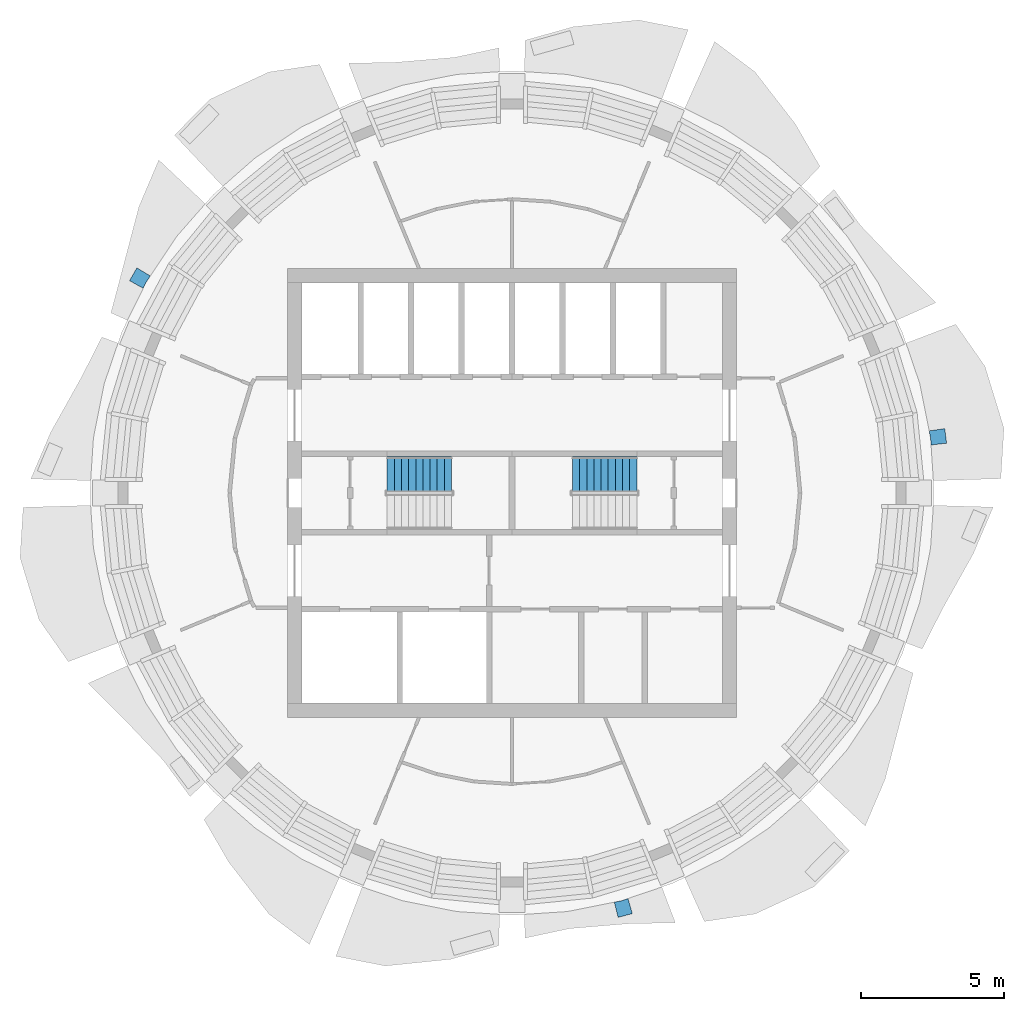
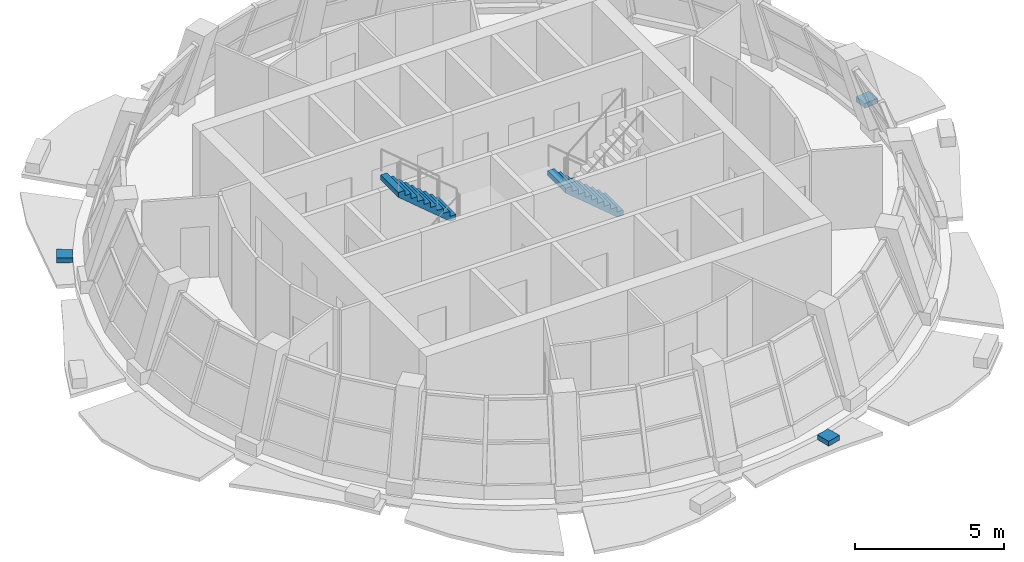
# One storey, part 8 of 12: 3 discrete accessories, 2 stair flights, 2 elements without a shape of their own.
"""IFC4 building model written with IfcOpenShell, lengths in metres."""

from ifc_helpers import new_model, si_unit, direction, frame, origin, place, context, subcontext, project, spatial, polyline, outline, extrude, material, type_object, element, aggregate, save


model = new_model("IFC4")

# Units and contexts
model_context = context("Model", 3, precision=1e-05, world=origin(), true_north=direction((0.0, 1.0)))
body_context = subcontext(model_context, "Body", "Model", "MODEL_VIEW")
ifc_project = project(units=[si_unit("LENGTHUNIT", "METRE"), si_unit("AREAUNIT", "SQUARE_METRE"), si_unit("VOLUMEUNIT", "CUBIC_METRE"), si_unit("PLANEANGLEUNIT", "RADIAN"), si_unit("MASSUNIT", "GRAM", prefix="KILO")], contexts=[model_context])

# Site, building, storey
site_placement = place(None, origin())
site = spatial("IfcSite", under=ifc_project, at=site_placement, CompositionType="ELEMENT")
building_placement = place(site_placement, origin())
building = spatial("IfcBuilding", under=site, at=building_placement, Name="Polderwave Tower", CompositionType="ELEMENT")
storey_placement = place(building_placement, frame((0.0, 0.0, 231.199951171875)))
storey = spatial("IfcBuildingStorey", under=building, at=storey_placement, Name="L63", CompositionType="ELEMENT", Elevation=231.199951171875)

# Stair, stair flight
ifc_material_1 = material(Name="Concrete C40/50", Category="concrete")
stair_type = type_object("IfcStairType", Name="Exit stair 1200 x 20 risers", PredefinedType="HALF_TURN_STAIR", material=ifc_material_1)
stair_1_placement = place(storey_placement, origin())
stair_1 = element("IfcStair", 1, at=stair_1_placement, inside=storey, type_object=stair_type, Name="L63 Exit stair A", PredefinedType="HALF_TURN_STAIR")
stair_flight_type = type_object("IfcStairFlightType", Name="Stair flight 1200", PredefinedType="STRAIGHT", material=ifc_material_1)
stair_flight_1_placement = place(storey_placement, frame((-2.1240234375, 0.675048828125, 2.10009765625), z_axis=(0.0, 0.0, 1.0), x_axis=(-1.0, 0.0, 0.0)))
stair_flight_1 = element("IfcStairFlight", 2, at=stair_flight_1_placement, type_object=stair_flight_type, Name="ST-A flight 2", NumberOfRisers=10, NumberOfTreads=9, PredefinedType="STRAIGHT", RiserHeight=0.21, TreadLength=0.25, context=body_context, shape_type="SweptSolid", body=[
    extrude(outline(polyline([(0.0, 0.0), (0.0, 0.2099609375), (0.25, 0.2099609375), (0.25, 0.419921875), (0.5, 0.419921875), (0.5, 0.6298828125), (0.75, 0.6298828125), (0.75, 0.840087890625), (1.0, 0.840087890625), (1.0, 1.050048828125), (1.25, 1.050048828125), (1.25, 1.260009765625), (1.5, 1.260009765625), (1.5, 1.469970703125), (1.75, 1.469970703125), (1.75, 1.679931640625), (2.0, 1.679931640625), (2.0, 1.889892578125), (2.25, 1.889892578125), (2.25, 2.10009765625), (2.25, 1.6943359375), (0.233154296875, 0.0), (0.0, 0.0)])), frame((0.0, 0.60009765625, 0.0), z_axis=(0.0, -1.0, 0.0), x_axis=(1.0, 0.0, 0.0)), (0.0, 0.0, 1.0), 1.199951171875),
])
aggregate(stair_1, [stair_flight_1])

stair_2_placement = place(storey_placement, origin())
stair_2 = element("IfcStair", 3, at=stair_2_placement, inside=storey, type_object=stair_type, Name="L63 Exit stair B", PredefinedType="HALF_TURN_STAIR")
stair_flight_2_placement = place(storey_placement, frame((4.3740234375, 0.675048828125, 0.0), z_axis=(0.0, 0.0, 1.0), x_axis=(-1.0, 0.0, 0.0)))
stair_flight_2 = element("IfcStairFlight", 4, at=stair_flight_2_placement, type_object=stair_flight_type, Name="ST-B flight 1", NumberOfRisers=10, NumberOfTreads=9, PredefinedType="STRAIGHT", RiserHeight=0.21, TreadLength=0.25, context=body_context, shape_type="SweptSolid", body=[
    extrude(outline(polyline([(0.0, 0.0), (0.0, 0.2099609375), (0.25, 0.2099609375), (0.25, 0.419921875), (0.5, 0.419921875), (0.5, 0.6298828125), (0.75, 0.6298828125), (0.75, 0.840087890625), (1.0, 0.840087890625), (1.0, 1.050048828125), (1.25, 1.050048828125), (1.25, 1.260009765625), (1.5, 1.260009765625), (1.5, 1.469970703125), (1.75, 1.469970703125), (1.75, 1.679931640625), (2.0, 1.679931640625), (2.0, 1.889892578125), (2.25, 1.889892578125), (2.25, 2.10009765625), (2.25, 1.6943359375), (0.233154296875, 0.0), (0.0, 0.0)])), frame((0.0, 0.60009765625, 0.0), z_axis=(0.0, -1.0, 0.0), x_axis=(1.0, 0.0, 0.0)), (0.0, 0.0, 1.0), 1.199951171875),
])
aggregate(stair_2, [stair_flight_2])

# Discrete accessories
ifc_material_2 = material(Name="Steel S355", Category="steel")
discrete_accessory_type = type_object("IfcDiscreteAccessoryType", Name="Band bracket pad", PredefinedType="BRACKET", material=ifc_material_2)
discrete_accessory_1_placement = place(storey_placement, frame((0.0, 0.0, -0.199951171875)))
element("IfcDiscreteAccessory", 5, at=discrete_accessory_1_placement, inside=storey, type_object=discrete_accessory_type, Name="Band bracket L63 1", PredefinedType="BRACKET", context=body_context, shape_type="SweptSolid", body=[
    extrude(outline(polyline([(14.689697265625, 1.682373046875), (14.67333984375, 1.931884765625), (14.62451171875, 2.177001953125), (15.168701171875, 2.258056640625), (15.236083984375, 1.744873046875), (14.689697265625, 1.682373046875)])), origin(), (0.0, 0.0, 1.0), 0.199951171875),
])
discrete_accessory_2_placement = place(storey_placement, frame((0.0, 0.0, -0.199951171875)))
element("IfcDiscreteAccessory", 6, at=discrete_accessory_2_placement, inside=storey, type_object=discrete_accessory_type, Name="Band bracket L63 7", PredefinedType="BRACKET", context=body_context, shape_type="SweptSolid", body=[
    extrude(outline(polyline([(-12.67822265625, 7.60791015625), (-12.817138671875, 7.39990234375), (-12.927734375, 7.17578125), (-13.40869140625, 7.442626953125), (-13.14990234375, 7.890869140625), (-12.67822265625, 7.60791015625)])), origin(), (0.0, 0.0, 1.0), 0.199951171875),
])
discrete_accessory_3_placement = place(storey_placement, frame((0.0, 0.0, -0.199951171875)))
element("IfcDiscreteAccessory", 7, at=discrete_accessory_3_placement, inside=storey, type_object=discrete_accessory_type, Name="Band bracket L63 13", PredefinedType="BRACKET", context=body_context, shape_type="SweptSolid", body=[
    extrude(outline(polyline([(3.585205078125, -14.344482421875), (3.83056640625, -14.295654296875), (4.0673828125, -14.21533203125), (4.218505859375, -14.744140625), (3.71875, -14.878173828125), (3.585205078125, -14.344482421875)])), origin(), (0.0, 0.0, 1.0), 0.199951171875),
])

save(model, "model.ifc")
